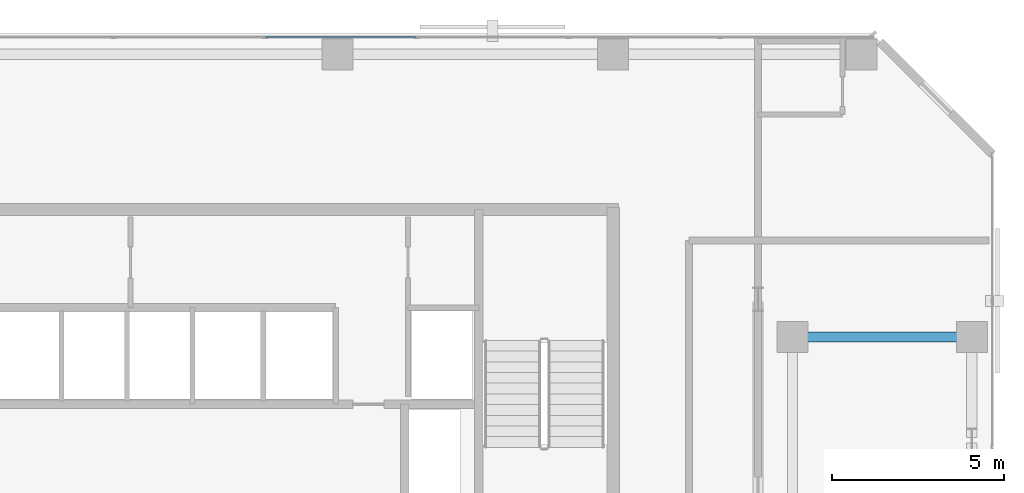
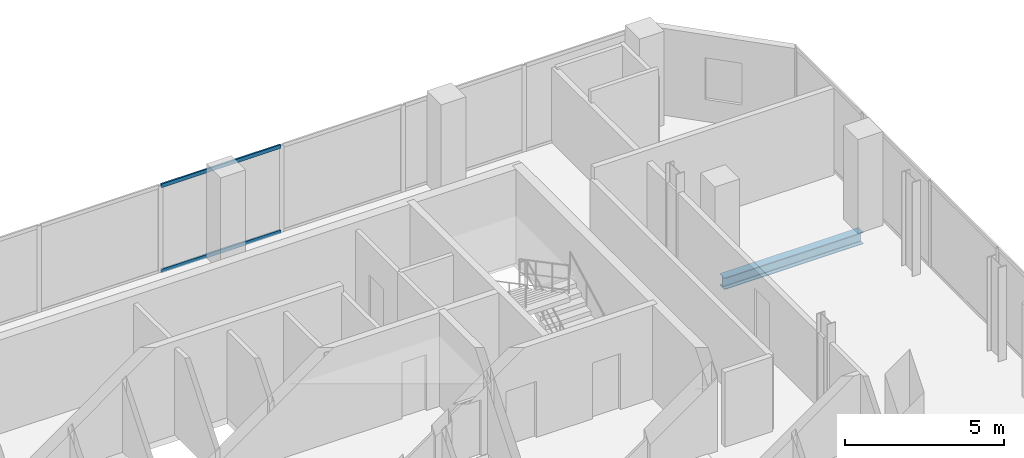
# One storey, part 23 of 33: 2 members, 1 beam, 1 element without a shape of its own.
"""IFC4 building model written with IfcOpenShell, lengths in metres."""

from ifc_helpers import new_model, si_unit, direction, frame, origin, origin_2d, place, context, subcontext, project, spatial, hollow_rectangle, i_section, extrude, material, layer, layer_set, material_profile, profile_set, type_object, element, aggregate, save


model = new_model("IFC4")

# Units and contexts
model_context = context("Model", 3, precision=1e-05, world=origin(), true_north=direction((0.0, 1.0)))
body_context = subcontext(model_context, "Body", "Model", "MODEL_VIEW")
ifc_project = project(units=[si_unit("LENGTHUNIT", "METRE"), si_unit("AREAUNIT", "SQUARE_METRE"), si_unit("VOLUMEUNIT", "CUBIC_METRE"), si_unit("PLANEANGLEUNIT", "RADIAN"), si_unit("MASSUNIT", "GRAM", prefix="KILO")], contexts=[model_context])

# Site, building, storey
site_placement = place(None, origin())
site = spatial("IfcSite", under=ifc_project, at=site_placement, CompositionType="ELEMENT")
building_placement = place(site_placement, origin())
building = spatial("IfcBuilding", under=site, at=building_placement, Name="Catumbela Crestline Tower", CompositionType="ELEMENT")
storey_placement = place(building_placement, frame((0.0, 0.0, 104.4)))
storey = spatial("IfcBuildingStorey", under=building, at=storey_placement, Name="L26", CompositionType="ELEMENT", Elevation=104.4)

# Beam
ifc_material_1 = material(Name="Structural steel S355J2", Category="steel")
ifc_material_profile_1 = material_profile(ifc_material_1, i_section(OverallWidth=0.3, OverallDepth=0.45, WebThickness=0.014, FlangeThickness=0.026, FilletRadius=0.027, at=origin_2d()), Name="HEB 450")
ifc_profile_set_1 = profile_set([ifc_material_profile_1], Name="Structural steel S355J2")
beam_type = type_object("IfcBeamType", Name="BG-HEB450", PredefinedType="BEAM", material=ifc_profile_set_1)
beam_placement = place(storey_placement, frame((45.28, 39.2, -0.485), z_axis=(1.0, 0.0, 0.0), x_axis=(0.0, 1.0, 0.0)))
element("IfcBeam", 1, at=beam_placement, inside=storey, type_object=beam_type, Name="L26 Beam BM-L26-N16", PredefinedType="BEAM", context=body_context, shape_type="SweptSolid", body=[
    extrude(i_section(OverallWidth=0.3, OverallDepth=0.45, WebThickness=0.014, FlangeThickness=0.026, FilletRadius=0.027, at=origin_2d()), origin(), (0.0, 0.0, 1.0), 5.04),
])

# Curtain wall, members
ifc_material_2 = material(Name="Aluminium alloy AW-6060-T66", Category="aluminium")
ifc_layer = layer(ifc_material_2, 0.18, Name="Aluminium alloy AW-6060-T66")
ifc_layer_set = layer_set([ifc_layer], Name="Aluminium alloy AW-6060-T66")
curtain_wall_type = type_object("IfcCurtainWallType", Name="CWU-Z2", PredefinedType="USERDEFINED", material=ifc_layer_set)
curtain_wall_placement = place(storey_placement, origin())
curtain_wall = element("IfcCurtainWall", 2, at=curtain_wall_placement, inside=storey, type_object=curtain_wall_type, Name="L26 Unitised Curtain Wall CW-L26-E7S1", ObjectType="UNITISED", PredefinedType="USERDEFINED")
ifc_material_profile_2 = material_profile(ifc_material_2, hollow_rectangle(XDim=0.06, YDim=0.14, WallThickness=0.004, at=origin_2d()), Name="ALU 140x60x4")
ifc_profile_set_2 = profile_set([ifc_material_profile_2], Name="Aluminium alloy AW-6060-T66")
member_type = type_object("IfcMemberType", Name="TRN-140X60", PredefinedType="USERDEFINED", material=ifc_profile_set_2)
member_1_placement = place(storey_placement, frame((34.2675, 47.9, 0.03), z_axis=(-1.0, 0.0, 0.0), x_axis=(0.0, -1.0, 0.0)))
member_1 = element("IfcMember", 3, at=member_1_placement, type_object=member_type, Name="CWU-Z2 transom 4.1", ObjectType="TRANSOM", PredefinedType="USERDEFINED", context=body_context, shape_type="SweptSolid", body=[
    extrude(hollow_rectangle(XDim=0.06, YDim=0.14, WallThickness=0.004, at=origin_2d()), origin(), (0.0, 0.0, 1.0), 4.335),
])
member_2_placement = place(storey_placement, frame((34.2675, 47.9, 3.3), z_axis=(-1.0, 0.0, 0.0), x_axis=(0.0, -1.0, 0.0)))
member_2 = element("IfcMember", 4, at=member_2_placement, type_object=member_type, Name="CWU-Z2 transom 4.2", ObjectType="TRANSOM", PredefinedType="USERDEFINED", context=body_context, shape_type="SweptSolid", body=[
    extrude(hollow_rectangle(XDim=0.06, YDim=0.14, WallThickness=0.004, at=origin_2d()), origin(), (0.0, 0.0, 1.0), 4.335),
])
aggregate(curtain_wall, [member_1, member_2])

save(model, "model.ifc")
